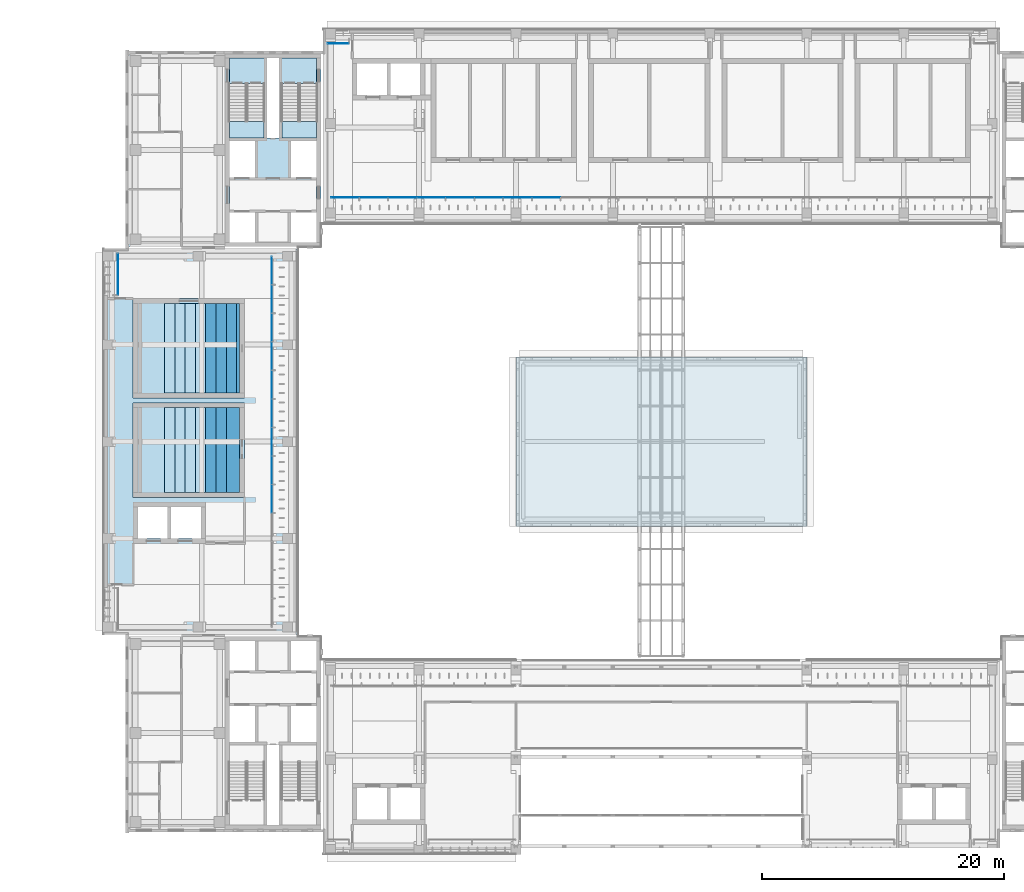
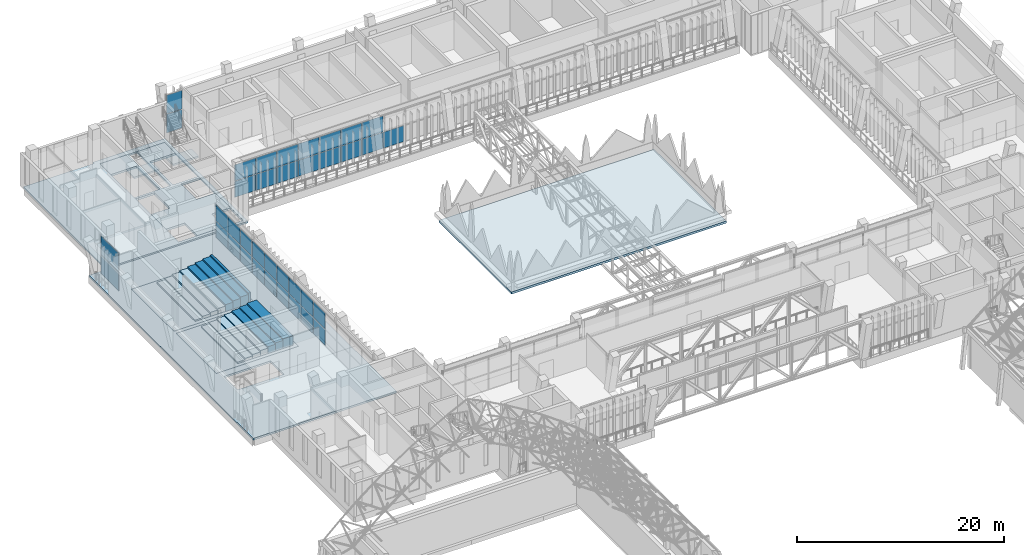
# One storey, part 92 of 141: 37 plates, 23 slabs, 6 elements without a shape of their own.
"""IFC4 building model written with IfcOpenShell, lengths in metres."""

from ifc_helpers import new_model, si_unit, direction, frame, origin, origin_2d, place, context, subcontext, project, spatial, polyline, rectangle, outline, extrude, material, layer, layer_set, type_object, element, aggregate, save


model = new_model("IFC4")

# Units and contexts
model_context = context("Model", 3, precision=1e-05, world=origin(), true_north=direction((0.0, 1.0)))
body_context = subcontext(model_context, "Body", "Model", "MODEL_VIEW")
ifc_project = project(units=[si_unit("LENGTHUNIT", "METRE"), si_unit("AREAUNIT", "SQUARE_METRE"), si_unit("VOLUMEUNIT", "CUBIC_METRE"), si_unit("PLANEANGLEUNIT", "RADIAN"), si_unit("MASSUNIT", "GRAM", prefix="KILO")], contexts=[model_context])

# Site, building, storey
site_placement = place(None, origin())
site = spatial("IfcSite", under=ifc_project, at=site_placement, CompositionType="ELEMENT")
building_placement = place(site_placement, origin())
building = spatial("IfcBuilding", under=site, at=building_placement, Name="Lantern Court Media Centre", CompositionType="ELEMENT")
storey_placement = place(building_placement, frame((0.0, 0.0, 9.60009765625)))
storey = spatial("IfcBuildingStorey", under=building, at=storey_placement, Name="L02", CompositionType="ELEMENT", Elevation=9.60009765625)

# Slab
ifc_material_1 = material(Name="Concrete C40", Category="concrete")
ifc_layer_1 = layer(ifc_material_1, 0.25)
ifc_layer_set_1 = layer_set([ifc_layer_1], Name="Concrete C40")
slab_type_1 = type_object("IfcSlabType", Name="Core floor slab 250", PredefinedType="FLOOR", material=ifc_layer_set_1)
slab_1_placement = place(storey_placement, frame((0.0, 0.0, -0.25)))
element("IfcSlab", 1, at=slab_1_placement, inside=storey, type_object=slab_type_1, Name="L02 NW core floor", PredefinedType="FLOOR", context=body_context, shape_type="SweptSolid", body=[
    extrude(outline(polyline([(16.35009765625, 104.800048828125), (16.35009765625, 105.05029296875), (19.19970703125, 105.05029296875), (19.19970703125, 109.549560546875), (16.35009765625, 109.549560546875), (16.35009765625, 111.64990234375), (19.449951171875, 111.64990234375), (19.449951171875, 105.050048828125), (20.449951171875, 105.050048828125), (20.449951171875, 111.64990234375), (23.550048828125, 111.64990234375), (23.550048828125, 109.549560546875), (20.700439453125, 109.549560546875), (20.700439453125, 105.05029296875), (23.550048828125, 105.05029296875), (23.550048828125, 104.800048828125), (21.449951171875, 104.800048828125), (21.449951171875, 101.800048828125), (23.550048828125, 101.800048828125), (23.550048828125, 98.89990234375), (21.449951171875, 98.89990234375), (21.449951171875, 96.449951171875), (18.449951171875, 96.449951171875), (18.449951171875, 98.89990234375), (16.35009765625, 98.89990234375), (16.35009765625, 101.800048828125), (18.449951171875, 101.800048828125), (18.449951171875, 104.800048828125), (16.35009765625, 104.800048828125)])), origin(), (0.0, 0.0, 1.0), 0.25),
])

# Curtain wall, plates
ifc_material_2 = material(Name="Curtain wall bay 2400")
curtain_wall_type_1 = type_object("IfcCurtainWallType", Name="Curtain wall bay 2400", PredefinedType="NOTDEFINED", material=ifc_material_2)
curtain_wall_1_placement = place(storey_placement, origin())
curtain_wall_1 = element("IfcCurtainWall", 2, at=curtain_wall_1_placement, inside=storey, type_object=curtain_wall_type_1, Name="Curtain wall N inner L02", PredefinedType="NOTDEFINED")
ifc_material_3 = material(Name="Low-iron double glazed unit glass", Category="glass")
ifc_layer_2 = layer(ifc_material_3, 0.02392578125)
ifc_layer_set_2 = layer_set([ifc_layer_2], Name="Low-iron double glazed unit glass")
plate_type_1 = type_object("IfcPlateType", Name="Curtain wall glazing unit 24", PredefinedType="CURTAIN_PANEL", material=ifc_layer_set_2)
plate_1_placement = place(storey_placement, frame((25.8994140625, 100.14990234375, 0.050048828125), z_axis=(0.0, 0.0, 1.0), x_axis=(1.0, 0.0, 0.0)))
plate_1 = element("IfcPlate", 3, at=plate_1_placement, type_object=plate_type_1, Name="CW2 panel 1.1", PredefinedType="CURTAIN_PANEL", context=body_context, shape_type="SweptSolid", body=[
    extrude(rectangle(XDim=2.298828125, YDim=0.02392578125, at=origin_2d()), origin(), (0.0, 0.0, 1.0), 1.89990234375),
])
plate_2_placement = place(storey_placement, frame((25.8994140625, 100.14990234375, 2.0), z_axis=(0.0, 0.0, 1.0), x_axis=(1.0, 0.0, 0.0)))
plate_2 = element("IfcPlate", 4, at=plate_2_placement, type_object=plate_type_1, Name="CW2 panel 1.2", PredefinedType="CURTAIN_PANEL", context=body_context, shape_type="SweptSolid", body=[
    extrude(rectangle(XDim=2.298828125, YDim=0.02392578125, at=origin_2d()), origin(), (0.0, 0.0, 1.0), 1.89990234375),
])
plate_3_placement = place(storey_placement, frame((28.260986328125, 100.14990234375, 0.050048828125), z_axis=(0.0, 0.0, 1.0), x_axis=(1.0, 0.0, 0.0)))
plate_3 = element("IfcPlate", 5, at=plate_3_placement, type_object=plate_type_1, Name="CW2 panel 2.1", PredefinedType="CURTAIN_PANEL", context=body_context, shape_type="SweptSolid", body=[
    extrude(rectangle(XDim=2.323974609375, YDim=0.02392578125, at=origin_2d()), origin(), (0.0, 0.0, 1.0), 1.89990234375),
])
plate_4_placement = place(storey_placement, frame((28.260986328125, 100.14990234375, 2.0), z_axis=(0.0, 0.0, 1.0), x_axis=(1.0, 0.0, 0.0)))
plate_4 = element("IfcPlate", 6, at=plate_4_placement, type_object=plate_type_1, Name="CW2 panel 2.2", PredefinedType="CURTAIN_PANEL", context=body_context, shape_type="SweptSolid", body=[
    extrude(rectangle(XDim=2.323974609375, YDim=0.02392578125, at=origin_2d()), origin(), (0.0, 0.0, 1.0), 1.89990234375),
])
plate_5_placement = place(storey_placement, frame((30.634765625, 100.14990234375, 0.050048828125), z_axis=(0.0, 0.0, 1.0), x_axis=(1.0, 0.0, 0.0)))
plate_5 = element("IfcPlate", 7, at=plate_5_placement, type_object=plate_type_1, Name="CW2 panel 3.1", PredefinedType="CURTAIN_PANEL", context=body_context, shape_type="SweptSolid", body=[
    extrude(rectangle(XDim=2.323974609375, YDim=0.02392578125, at=origin_2d()), origin(), (0.0, 0.0, 1.0), 1.89990234375),
])
plate_6_placement = place(storey_placement, frame((30.634765625, 100.14990234375, 2.0), z_axis=(0.0, 0.0, 1.0), x_axis=(1.0, 0.0, 0.0)))
plate_6 = element("IfcPlate", 8, at=plate_6_placement, type_object=plate_type_1, Name="CW2 panel 3.2", PredefinedType="CURTAIN_PANEL", context=body_context, shape_type="SweptSolid", body=[
    extrude(rectangle(XDim=2.323974609375, YDim=0.02392578125, at=origin_2d()), origin(), (0.0, 0.0, 1.0), 1.89990234375),
])
plate_7_placement = place(storey_placement, frame((33.0087890625, 100.14990234375, 0.050048828125), z_axis=(0.0, 0.0, 1.0), x_axis=(1.0, 0.0, 0.0)))
plate_7 = element("IfcPlate", 9, at=plate_7_placement, type_object=plate_type_1, Name="CW2 panel 4.1", PredefinedType="CURTAIN_PANEL", context=body_context, shape_type="SweptSolid", body=[
    extrude(rectangle(XDim=2.323974609375, YDim=0.02392578125, at=origin_2d()), origin(), (0.0, 0.0, 1.0), 1.89990234375),
])
plate_8_placement = place(storey_placement, frame((33.0087890625, 100.14990234375, 2.0), z_axis=(0.0, 0.0, 1.0), x_axis=(1.0, 0.0, 0.0)))
plate_8 = element("IfcPlate", 10, at=plate_8_placement, type_object=plate_type_1, Name="CW2 panel 4.2", PredefinedType="CURTAIN_PANEL", context=body_context, shape_type="SweptSolid", body=[
    extrude(rectangle(XDim=2.323974609375, YDim=0.02392578125, at=origin_2d()), origin(), (0.0, 0.0, 1.0), 1.89990234375),
])
plate_9_placement = place(storey_placement, frame((35.382568359375, 100.14990234375, 0.050048828125), z_axis=(0.0, 0.0, 1.0), x_axis=(1.0, 0.0, 0.0)))
plate_9 = element("IfcPlate", 11, at=plate_9_placement, type_object=plate_type_1, Name="CW2 panel 5.1", PredefinedType="CURTAIN_PANEL", context=body_context, shape_type="SweptSolid", body=[
    extrude(rectangle(XDim=2.323974609375, YDim=0.02392578125, at=origin_2d()), origin(), (0.0, 0.0, 1.0), 1.89990234375),
])
plate_10_placement = place(storey_placement, frame((35.382568359375, 100.14990234375, 2.0), z_axis=(0.0, 0.0, 1.0), x_axis=(1.0, 0.0, 0.0)))
plate_10 = element("IfcPlate", 12, at=plate_10_placement, type_object=plate_type_1, Name="CW2 panel 5.2", PredefinedType="CURTAIN_PANEL", context=body_context, shape_type="SweptSolid", body=[
    extrude(rectangle(XDim=2.323974609375, YDim=0.02392578125, at=origin_2d()), origin(), (0.0, 0.0, 1.0), 1.89990234375),
])
plate_11_placement = place(storey_placement, frame((37.756591796875, 100.14990234375, 0.050048828125), z_axis=(0.0, 0.0, 1.0), x_axis=(1.0, 0.0, 0.0)))
plate_11 = element("IfcPlate", 13, at=plate_11_placement, type_object=plate_type_1, Name="CW2 panel 6.1", PredefinedType="CURTAIN_PANEL", context=body_context, shape_type="SweptSolid", body=[
    extrude(rectangle(XDim=2.323974609375, YDim=0.02392578125, at=origin_2d()), origin(), (0.0, 0.0, 1.0), 1.89990234375),
])
plate_12_placement = place(storey_placement, frame((37.756591796875, 100.14990234375, 2.0), z_axis=(0.0, 0.0, 1.0), x_axis=(1.0, 0.0, 0.0)))
plate_12 = element("IfcPlate", 14, at=plate_12_placement, type_object=plate_type_1, Name="CW2 panel 6.2", PredefinedType="CURTAIN_PANEL", context=body_context, shape_type="SweptSolid", body=[
    extrude(rectangle(XDim=2.323974609375, YDim=0.02392578125, at=origin_2d()), origin(), (0.0, 0.0, 1.0), 1.89990234375),
])
plate_13_placement = place(storey_placement, frame((40.13037109375, 100.14990234375, 0.050048828125), z_axis=(0.0, 0.0, 1.0), x_axis=(1.0, 0.0, 0.0)))
plate_13 = element("IfcPlate", 15, at=plate_13_placement, type_object=plate_type_1, Name="CW2 panel 7.1", PredefinedType="CURTAIN_PANEL", context=body_context, shape_type="SweptSolid", body=[
    extrude(rectangle(XDim=2.323974609375, YDim=0.02392578125, at=origin_2d()), origin(), (0.0, 0.0, 1.0), 1.89990234375),
])
plate_14_placement = place(storey_placement, frame((40.13037109375, 100.14990234375, 2.0), z_axis=(0.0, 0.0, 1.0), x_axis=(1.0, 0.0, 0.0)))
plate_14 = element("IfcPlate", 16, at=plate_14_placement, type_object=plate_type_1, Name="CW2 panel 7.2", PredefinedType="CURTAIN_PANEL", context=body_context, shape_type="SweptSolid", body=[
    extrude(rectangle(XDim=2.323974609375, YDim=0.02392578125, at=origin_2d()), origin(), (0.0, 0.0, 1.0), 1.89990234375),
])
plate_15_placement = place(storey_placement, frame((42.50439453125, 100.14990234375, 0.050048828125), z_axis=(0.0, 0.0, 1.0), x_axis=(1.0, 0.0, 0.0)))
plate_15 = element("IfcPlate", 17, at=plate_15_placement, type_object=plate_type_1, Name="CW2 panel 8.1", PredefinedType="CURTAIN_PANEL", context=body_context, shape_type="SweptSolid", body=[
    extrude(rectangle(XDim=2.323974609375, YDim=0.02392578125, at=origin_2d()), origin(), (0.0, 0.0, 1.0), 1.89990234375),
])
aggregate(curtain_wall_1, [plate_1, plate_2, plate_3, plate_4, plate_5, plate_6, plate_7, plate_8, plate_9, plate_10, plate_11, plate_12, plate_13, plate_14, plate_15])

curtain_wall_2_placement = place(storey_placement, origin())
curtain_wall_2 = element("IfcCurtainWall", 18, at=curtain_wall_2_placement, inside=storey, type_object=curtain_wall_type_1, Name="Curtain wall W inner L02", PredefinedType="NOTDEFINED")
plate_16_placement = place(storey_placement, frame((19.85009765625, 75.292236328125, 0.050048828125), z_axis=(0.0, 0.0, 1.0), x_axis=(0.0, 1.0, 0.0)))
plate_16 = element("IfcPlate", 19, at=plate_16_placement, type_object=plate_type_1, Name="CW2 panel 5.1", PredefinedType="CURTAIN_PANEL", context=body_context, shape_type="SweptSolid", body=[
    extrude(rectangle(XDim=2.303955078125, YDim=0.02392578125, at=origin_2d()), origin(), (0.0, 0.0, 1.0), 1.89990234375),
])
plate_17_placement = place(storey_placement, frame((19.85009765625, 75.292236328125, 2.0), z_axis=(0.0, 0.0, 1.0), x_axis=(0.0, 1.0, 0.0)))
plate_17 = element("IfcPlate", 20, at=plate_17_placement, type_object=plate_type_1, Name="CW2 panel 5.2", PredefinedType="CURTAIN_PANEL", context=body_context, shape_type="SweptSolid", body=[
    extrude(rectangle(XDim=2.303955078125, YDim=0.02392578125, at=origin_2d()), origin(), (0.0, 0.0, 1.0), 1.89990234375),
])
plate_18_placement = place(storey_placement, frame((19.85009765625, 77.646240234375, 0.050048828125), z_axis=(0.0, 0.0, 1.0), x_axis=(0.0, 1.0, 0.0)))
plate_18 = element("IfcPlate", 21, at=plate_18_placement, type_object=plate_type_1, Name="CW2 panel 6.1", PredefinedType="CURTAIN_PANEL", context=body_context, shape_type="SweptSolid", body=[
    extrude(rectangle(XDim=2.303955078125, YDim=0.02392578125, at=origin_2d()), origin(), (0.0, 0.0, 1.0), 1.89990234375),
])
plate_19_placement = place(storey_placement, frame((19.85009765625, 77.646240234375, 2.0), z_axis=(0.0, 0.0, 1.0), x_axis=(0.0, 1.0, 0.0)))
plate_19 = element("IfcPlate", 22, at=plate_19_placement, type_object=plate_type_1, Name="CW2 panel 6.2", PredefinedType="CURTAIN_PANEL", context=body_context, shape_type="SweptSolid", body=[
    extrude(rectangle(XDim=2.303955078125, YDim=0.02392578125, at=origin_2d()), origin(), (0.0, 0.0, 1.0), 1.89990234375),
])
plate_20_placement = place(storey_placement, frame((19.85009765625, 80.0, 0.050048828125), z_axis=(0.0, 0.0, 1.0), x_axis=(0.0, 1.0, 0.0)))
plate_20 = element("IfcPlate", 23, at=plate_20_placement, type_object=plate_type_1, Name="CW2 panel 7.1", PredefinedType="CURTAIN_PANEL", context=body_context, shape_type="SweptSolid", body=[
    extrude(rectangle(XDim=2.303955078125, YDim=0.02392578125, at=origin_2d()), origin(), (0.0, 0.0, 1.0), 1.89990234375),
])
plate_21_placement = place(storey_placement, frame((19.85009765625, 80.0, 2.0), z_axis=(0.0, 0.0, 1.0), x_axis=(0.0, 1.0, 0.0)))
plate_21 = element("IfcPlate", 24, at=plate_21_placement, type_object=plate_type_1, Name="CW2 panel 7.2", PredefinedType="CURTAIN_PANEL", context=body_context, shape_type="SweptSolid", body=[
    extrude(rectangle(XDim=2.303955078125, YDim=0.02392578125, at=origin_2d()), origin(), (0.0, 0.0, 1.0), 1.89990234375),
])
plate_22_placement = place(storey_placement, frame((19.85009765625, 82.353759765625, 0.050048828125), z_axis=(0.0, 0.0, 1.0), x_axis=(0.0, 1.0, 0.0)))
plate_22 = element("IfcPlate", 25, at=plate_22_placement, type_object=plate_type_1, Name="CW2 panel 8.1", PredefinedType="CURTAIN_PANEL", context=body_context, shape_type="SweptSolid", body=[
    extrude(rectangle(XDim=2.303955078125, YDim=0.02392578125, at=origin_2d()), origin(), (0.0, 0.0, 1.0), 1.89990234375),
])
plate_23_placement = place(storey_placement, frame((19.85009765625, 82.353759765625, 2.0), z_axis=(0.0, 0.0, 1.0), x_axis=(0.0, 1.0, 0.0)))
plate_23 = element("IfcPlate", 26, at=plate_23_placement, type_object=plate_type_1, Name="CW2 panel 8.2", PredefinedType="CURTAIN_PANEL", context=body_context, shape_type="SweptSolid", body=[
    extrude(rectangle(XDim=2.303955078125, YDim=0.02392578125, at=origin_2d()), origin(), (0.0, 0.0, 1.0), 1.89990234375),
])
plate_24_placement = place(storey_placement, frame((19.85009765625, 84.707763671875, 0.050048828125), z_axis=(0.0, 0.0, 1.0), x_axis=(0.0, 1.0, 0.0)))
plate_24 = element("IfcPlate", 27, at=plate_24_placement, type_object=plate_type_1, Name="CW2 panel 9.1", PredefinedType="CURTAIN_PANEL", context=body_context, shape_type="SweptSolid", body=[
    extrude(rectangle(XDim=2.303955078125, YDim=0.02392578125, at=origin_2d()), origin(), (0.0, 0.0, 1.0), 1.89990234375),
])
plate_25_placement = place(storey_placement, frame((19.85009765625, 84.707763671875, 2.0), z_axis=(0.0, 0.0, 1.0), x_axis=(0.0, 1.0, 0.0)))
plate_25 = element("IfcPlate", 28, at=plate_25_placement, type_object=plate_type_1, Name="CW2 panel 9.2", PredefinedType="CURTAIN_PANEL", context=body_context, shape_type="SweptSolid", body=[
    extrude(rectangle(XDim=2.303955078125, YDim=0.02392578125, at=origin_2d()), origin(), (0.0, 0.0, 1.0), 1.89990234375),
])
plate_26_placement = place(storey_placement, frame((19.85009765625, 87.0615234375, 0.050048828125), z_axis=(0.0, 0.0, 1.0), x_axis=(0.0, 1.0, 0.0)))
plate_26 = element("IfcPlate", 29, at=plate_26_placement, type_object=plate_type_1, Name="CW2 panel 10.1", PredefinedType="CURTAIN_PANEL", context=body_context, shape_type="SweptSolid", body=[
    extrude(rectangle(XDim=2.303955078125, YDim=0.02392578125, at=origin_2d()), origin(), (0.0, 0.0, 1.0), 1.89990234375),
])
plate_27_placement = place(storey_placement, frame((19.85009765625, 87.0615234375, 2.0), z_axis=(0.0, 0.0, 1.0), x_axis=(0.0, 1.0, 0.0)))
plate_27 = element("IfcPlate", 30, at=plate_27_placement, type_object=plate_type_1, Name="CW2 panel 10.2", PredefinedType="CURTAIN_PANEL", context=body_context, shape_type="SweptSolid", body=[
    extrude(rectangle(XDim=2.303955078125, YDim=0.02392578125, at=origin_2d()), origin(), (0.0, 0.0, 1.0), 1.89990234375),
])
plate_28_placement = place(storey_placement, frame((19.85009765625, 89.415283203125, 0.050048828125), z_axis=(0.0, 0.0, 1.0), x_axis=(0.0, 1.0, 0.0)))
plate_28 = element("IfcPlate", 31, at=plate_28_placement, type_object=plate_type_1, Name="CW2 panel 11.1", PredefinedType="CURTAIN_PANEL", context=body_context, shape_type="SweptSolid", body=[
    extrude(rectangle(XDim=2.303955078125, YDim=0.02392578125, at=origin_2d()), origin(), (0.0, 0.0, 1.0), 1.89990234375),
])
plate_29_placement = place(storey_placement, frame((19.85009765625, 89.415283203125, 2.0), z_axis=(0.0, 0.0, 1.0), x_axis=(0.0, 1.0, 0.0)))
plate_29 = element("IfcPlate", 32, at=plate_29_placement, type_object=plate_type_1, Name="CW2 panel 11.2", PredefinedType="CURTAIN_PANEL", context=body_context, shape_type="SweptSolid", body=[
    extrude(rectangle(XDim=2.303955078125, YDim=0.02392578125, at=origin_2d()), origin(), (0.0, 0.0, 1.0), 1.89990234375),
])
plate_30_placement = place(storey_placement, frame((19.85009765625, 91.769287109375, 0.050048828125), z_axis=(0.0, 0.0, 1.0), x_axis=(0.0, 1.0, 0.0)))
plate_30 = element("IfcPlate", 33, at=plate_30_placement, type_object=plate_type_1, Name="CW2 panel 12.1", PredefinedType="CURTAIN_PANEL", context=body_context, shape_type="SweptSolid", body=[
    extrude(rectangle(XDim=2.303955078125, YDim=0.02392578125, at=origin_2d()), origin(), (0.0, 0.0, 1.0), 1.89990234375),
])
plate_31_placement = place(storey_placement, frame((19.85009765625, 91.769287109375, 2.0), z_axis=(0.0, 0.0, 1.0), x_axis=(0.0, 1.0, 0.0)))
plate_31 = element("IfcPlate", 34, at=plate_31_placement, type_object=plate_type_1, Name="CW2 panel 12.2", PredefinedType="CURTAIN_PANEL", context=body_context, shape_type="SweptSolid", body=[
    extrude(rectangle(XDim=2.303955078125, YDim=0.02392578125, at=origin_2d()), origin(), (0.0, 0.0, 1.0), 1.89990234375),
])
plate_32_placement = place(storey_placement, frame((19.85009765625, 94.110595703125, 0.050048828125), z_axis=(0.0, 0.0, 1.0), x_axis=(0.0, 1.0, 0.0)))
plate_32 = element("IfcPlate", 35, at=plate_32_placement, type_object=plate_type_1, Name="CW2 panel 13.1", PredefinedType="CURTAIN_PANEL", context=body_context, shape_type="SweptSolid", body=[
    extrude(rectangle(XDim=2.27880859375, YDim=0.02392578125, at=origin_2d()), origin(), (0.0, 0.0, 1.0), 1.89990234375),
])
plate_33_placement = place(storey_placement, frame((19.85009765625, 94.110595703125, 2.0), z_axis=(0.0, 0.0, 1.0), x_axis=(0.0, 1.0, 0.0)))
plate_33 = element("IfcPlate", 36, at=plate_33_placement, type_object=plate_type_1, Name="CW2 panel 13.2", PredefinedType="CURTAIN_PANEL", context=body_context, shape_type="SweptSolid", body=[
    extrude(rectangle(XDim=2.27880859375, YDim=0.02392578125, at=origin_2d()), origin(), (0.0, 0.0, 1.0), 1.89990234375),
])
aggregate(curtain_wall_2, [plate_16, plate_17, plate_18, plate_19, plate_20, plate_21, plate_22, plate_23, plate_24, plate_25, plate_26, plate_27, plate_28, plate_29, plate_30, plate_31, plate_32, plate_33])

ifc_material_4 = material(Name="Curtain wall bay 3000")
curtain_wall_type_2 = type_object("IfcCurtainWallType", Name="Curtain wall bay 3000", PredefinedType="NOTDEFINED", material=ifc_material_4)
curtain_wall_3_placement = place(storey_placement, origin())
curtain_wall_3 = element("IfcCurtainWall", 37, at=curtain_wall_3_placement, inside=storey, type_object=curtain_wall_type_2, Name="Curtain wall N outer L02", PredefinedType="NOTDEFINED")
ifc_layer_3 = layer(ifc_material_3, 0.028076171875)
ifc_layer_set_3 = layer_set([ifc_layer_3], Name="Low-iron double glazed unit glass")
plate_type_2 = type_object("IfcPlateType", Name="Curtain wall glazing unit 28", PredefinedType="CURTAIN_PANEL", material=ifc_layer_set_3)
plate_34_placement = place(storey_placement, frame((25.3349609375, 112.85009765625, 0.06005859375), z_axis=(0.0, 0.0, 1.0), x_axis=(1.0, 0.0, 0.0)))
plate_34 = element("IfcPlate", 38, at=plate_34_placement, type_object=plate_type_2, Name="CW1 panel 1.1", PredefinedType="CURTAIN_PANEL", context=body_context, shape_type="SweptSolid", body=[
    extrude(rectangle(XDim=1.7099609375, YDim=0.028076171875, at=origin_2d()), origin(), (0.0, 0.0, 1.0), 2.199951171875),
])
plate_35_placement = place(storey_placement, frame((25.3349609375, 112.85009765625, 2.31982421875), z_axis=(0.0, 0.0, 1.0), x_axis=(1.0, 0.0, 0.0)))
plate_35 = element("IfcPlate", 39, at=plate_35_placement, type_object=plate_type_2, Name="CW1 panel 1.2", PredefinedType="CURTAIN_PANEL", context=body_context, shape_type="SweptSolid", body=[
    extrude(rectangle(XDim=1.7099609375, YDim=0.028076171875, at=origin_2d()), origin(), (0.0, 0.0, 1.0), 2.199951171875),
])
aggregate(curtain_wall_3, [plate_34, plate_35])

curtain_wall_4_placement = place(storey_placement, origin())
curtain_wall_4 = element("IfcCurtainWall", 40, at=curtain_wall_4_placement, inside=storey, type_object=curtain_wall_type_2, Name="Curtain wall W outer L02", PredefinedType="NOTDEFINED")
plate_36_placement = place(storey_placement, frame((7.14990234375, 93.81494140625, 0.06005859375), z_axis=(0.0, 0.0, 1.0), x_axis=(0.0, 1.0, 0.0)))
plate_36 = element("IfcPlate", 41, at=plate_36_placement, type_object=plate_type_2, Name="CW1 panel 1.1", PredefinedType="CURTAIN_PANEL", context=body_context, shape_type="SweptSolid", body=[
    extrude(rectangle(XDim=3.409912109375, YDim=0.028076171875, at=origin_2d()), origin(), (0.0, 0.0, 1.0), 2.199951171875),
])
plate_37_placement = place(storey_placement, frame((7.14990234375, 93.81494140625, 2.31982421875), z_axis=(0.0, 0.0, 1.0), x_axis=(0.0, 1.0, 0.0)))
plate_37 = element("IfcPlate", 42, at=plate_37_placement, type_object=plate_type_2, Name="CW1 panel 1.2", PredefinedType="CURTAIN_PANEL", context=body_context, shape_type="SweptSolid", body=[
    extrude(rectangle(XDim=3.409912109375, YDim=0.028076171875, at=origin_2d()), origin(), (0.0, 0.0, 1.0), 2.199951171875),
])
aggregate(curtain_wall_4, [plate_36, plate_37])

# Slabs
ifc_material_5 = material(Name="Concrete C35", Category="concrete")
ifc_layer_4 = layer(ifc_material_5, 0.199951171875)
ifc_layer_set_4 = layer_set([ifc_layer_4], Name="Concrete C35")
slab_type_2 = type_object("IfcSlabType", Name="RC FLOOR SLAB 200", PredefinedType="FLOOR", material=ifc_layer_set_4)
slab_2_placement = place(storey_placement, frame((0.0, 0.0, -0.2001953125)))
element("IfcSlab", 43, at=slab_2_placement, inside=storey, type_object=slab_type_2, Name="SL-NW-L02", PredefinedType="FLOOR", context=body_context, shape_type="SweptSolid", body=[
    extrude(outline(polyline([(8.0, 112.0), (15.89990234375, 112.0), (15.89990234375, 112.219970703125), (23.89990234375, 112.219970703125), (23.89990234375, 112.0), (23.89990234375, 96.10009765625), (8.0, 96.10009765625), (8.0, 112.0)]), holes=[polyline([(16.35009765625, 111.64990234375), (16.35009765625, 96.449951171875), (23.550048828125, 96.449951171875), (23.550048828125, 111.64990234375), (16.35009765625, 111.64990234375)])]), origin(), (0.0, 0.0, 1.0), 0.2001953125),
])
ifc_layer_5 = layer(ifc_material_5, 0.219970703125)
ifc_layer_set_5 = layer_set([ifc_layer_5], Name="Concrete C35")
slab_type_3 = type_object("IfcSlabType", Name="RC FLOOR SLAB 220", PredefinedType="FLOOR", material=ifc_layer_set_5)
slab_3_placement = place(storey_placement, frame((0.0, 0.0, -0.22021484375)))
element("IfcSlab", 44, at=slab_3_placement, inside=storey, type_object=slab_type_3, Name="SL-W-L02", PredefinedType="FLOOR", context=body_context, shape_type="SweptSolid", body=[
    extrude(outline(polyline([(8.39990234375, 64.10009765625), (6.0, 64.10009765625), (6.0, 95.89990234375), (8.39990234375, 95.89990234375), (17.60009765625, 95.89990234375), (22.0, 95.89990234375), (22.0, 64.10009765625), (17.60009765625, 64.10009765625), (8.39990234375, 64.10009765625)]), holes=[polyline([(8.39990234375, 83.60009765625), (17.60009765625, 83.60009765625), (17.60009765625, 91.800048828125), (8.39990234375, 91.800048828125), (8.39990234375, 83.60009765625)]), polyline([(8.39990234375, 75.39990234375), (17.60009765625, 75.39990234375), (17.60009765625, 83.199951171875), (8.39990234375, 83.199951171875), (8.39990234375, 75.39990234375)]), polyline([(14.0, 74.60009765625), (8.800048828125, 74.60009765625), (8.800048828125, 72.0), (14.0, 72.0), (14.0, 74.60009765625)])]), origin(), (0.0, 0.0, 1.0), 0.22021484375),
])
ifc_layer_6 = layer(ifc_material_5, 0.419921875)
ifc_layer_set_6 = layer_set([ifc_layer_6], Name="Concrete C35")
slab_type_4 = type_object("IfcSlabType", Name="RC FLOOR SLAB 420", PredefinedType="FLOOR", material=ifc_layer_set_6)
slab_4_placement = place(storey_placement, frame((0.0, 0.0, -0.420166015625)))
element("IfcSlab", 45, at=slab_4_placement, inside=storey, type_object=slab_type_4, Name="SL-W-L02-D1", PredefinedType="FLOOR", context=body_context, shape_type="SweptSolid", body=[
    extrude(outline(polyline([(17.60009765625, 75.39990234375), (17.60009765625, 83.199951171875), (8.39990234375, 83.199951171875), (8.39990234375, 75.39990234375), (17.60009765625, 75.39990234375)])), origin(), (0.0, 0.0, 1.0), 0.420166015625),
])
slab_5_placement = place(storey_placement, frame((0.0, 0.0, -0.420166015625)))
element("IfcSlab", 46, at=slab_5_placement, inside=storey, type_object=slab_type_4, Name="SL-W-L02-D2", PredefinedType="FLOOR", context=body_context, shape_type="SweptSolid", body=[
    extrude(outline(polyline([(17.60009765625, 83.60009765625), (17.60009765625, 91.800048828125), (8.39990234375, 91.800048828125), (8.39990234375, 83.60009765625), (17.60009765625, 83.60009765625)])), origin(), (0.0, 0.0, 1.0), 0.420166015625),
])
ifc_layer_7 = layer(ifc_material_5, 0.25)
ifc_layer_set_7 = layer_set([ifc_layer_7], Name="Concrete C35")
slab_type_5 = type_object("IfcSlabType", Name="RC ROOF SLAB 250", PredefinedType="ROOF", material=ifc_layer_set_7)
slab_6_placement = place(storey_placement, frame((0.0, 0.0, -0.25)))
element("IfcSlab", 47, at=slab_6_placement, inside=storey, type_object=slab_type_5, Name="SL-PRESS-ROOF", PredefinedType="ROOF", context=body_context, shape_type="SweptSolid", body=[
    extrude(outline(polyline([(64.0, 73.0), (64.0, 87.0), (40.0, 87.0), (40.0, 73.0), (64.0, 73.0)])), origin(), (0.0, 0.0, 1.0), 0.25),
])
ifc_layer_8 = layer(ifc_material_5, 0.14990234375)
ifc_layer_set_8 = layer_set([ifc_layer_8], Name="Concrete C35")
slab_type_6 = type_object("IfcSlabType", Name="Seating tier", PredefinedType="USERDEFINED", material=ifc_layer_set_8)
slab_7_placement = place(storey_placement, origin())
element("IfcSlab", 48, at=slab_7_placement, inside=storey, type_object=slab_type_6, Name="Screen 5 tier 1", ObjectType="SEATING TIER", PredefinedType="USERDEFINED", context=body_context, shape_type="SweptSolid", body=[
    extrude(outline(polyline([(11.0, 75.800048828125), (11.85009765625, 75.800048828125), (11.85009765625, 82.800048828125), (11.0, 82.800048828125), (11.0, 75.800048828125)])), origin(), (0.0, 0.0, 1.0), 0.159912109375),
])
slab_8_placement = place(storey_placement, origin())
element("IfcSlab", 49, at=slab_8_placement, inside=storey, type_object=slab_type_6, Name="Screen 5 tier 2", ObjectType="SEATING TIER", PredefinedType="USERDEFINED", context=body_context, shape_type="SweptSolid", body=[
    extrude(outline(polyline([(11.85009765625, 75.800048828125), (12.699951171875, 75.800048828125), (12.699951171875, 82.800048828125), (11.85009765625, 82.800048828125), (11.85009765625, 75.800048828125)])), origin(), (0.0, 0.0, 1.0), 0.31982421875),
])
slab_9_placement = place(storey_placement, origin())
element("IfcSlab", 50, at=slab_9_placement, inside=storey, type_object=slab_type_6, Name="Screen 5 tier 3", ObjectType="SEATING TIER", PredefinedType="USERDEFINED", context=body_context, shape_type="SweptSolid", body=[
    extrude(outline(polyline([(12.699951171875, 75.800048828125), (13.550048828125, 75.800048828125), (13.550048828125, 82.800048828125), (12.699951171875, 82.800048828125), (12.699951171875, 75.800048828125)])), origin(), (0.0, 0.0, 1.0), 0.47998046875),
])
slab_10_placement = place(storey_placement, origin())
element("IfcSlab", 51, at=slab_10_placement, inside=storey, type_object=slab_type_6, Name="Screen 5 tier 4", ObjectType="SEATING TIER", PredefinedType="USERDEFINED", context=body_context, shape_type="SweptSolid", body=[
    extrude(outline(polyline([(13.550048828125, 75.800048828125), (14.39990234375, 75.800048828125), (14.39990234375, 82.800048828125), (13.550048828125, 82.800048828125), (13.550048828125, 75.800048828125)])), origin(), (0.0, 0.0, 1.0), 0.639892578125),
])
slab_11_placement = place(storey_placement, origin())
element("IfcSlab", 52, at=slab_11_placement, inside=storey, type_object=slab_type_6, Name="Screen 5 tier 5", ObjectType="SEATING TIER", PredefinedType="USERDEFINED", context=body_context, shape_type="SweptSolid", body=[
    extrude(outline(polyline([(14.39990234375, 75.800048828125), (15.25, 75.800048828125), (15.25, 82.800048828125), (14.39990234375, 82.800048828125), (14.39990234375, 75.800048828125)])), origin(), (0.0, 0.0, 1.0), 0.7998046875),
])
slab_12_placement = place(storey_placement, origin())
element("IfcSlab", 53, at=slab_12_placement, inside=storey, type_object=slab_type_6, Name="Screen 5 tier 6", ObjectType="SEATING TIER", PredefinedType="USERDEFINED", context=body_context, shape_type="SweptSolid", body=[
    extrude(outline(polyline([(15.25, 75.800048828125), (16.10009765625, 75.800048828125), (16.10009765625, 82.800048828125), (15.25, 82.800048828125), (15.25, 75.800048828125)])), origin(), (0.0, 0.0, 1.0), 0.9599609375),
])
slab_13_placement = place(storey_placement, origin())
element("IfcSlab", 54, at=slab_13_placement, inside=storey, type_object=slab_type_6, Name="Screen 5 tier 7", ObjectType="SEATING TIER", PredefinedType="USERDEFINED", context=body_context, shape_type="SweptSolid", body=[
    extrude(outline(polyline([(16.10009765625, 75.800048828125), (17.199951171875, 75.800048828125), (17.199951171875, 82.800048828125), (16.10009765625, 82.800048828125), (16.10009765625, 75.800048828125)])), origin(), (0.0, 0.0, 1.0), 1.119873046875),
])
slab_14_placement = place(storey_placement, origin())
element("IfcSlab", 55, at=slab_14_placement, inside=storey, type_object=slab_type_6, Name="Screen 6 tier 1", ObjectType="SEATING TIER", PredefinedType="USERDEFINED", context=body_context, shape_type="SweptSolid", body=[
    extrude(outline(polyline([(11.0, 84.0), (11.85009765625, 84.0), (11.85009765625, 91.39990234375), (11.0, 91.39990234375), (11.0, 84.0)])), origin(), (0.0, 0.0, 1.0), 0.159912109375),
])
slab_15_placement = place(storey_placement, origin())
element("IfcSlab", 56, at=slab_15_placement, inside=storey, type_object=slab_type_6, Name="Screen 6 tier 2", ObjectType="SEATING TIER", PredefinedType="USERDEFINED", context=body_context, shape_type="SweptSolid", body=[
    extrude(outline(polyline([(11.85009765625, 84.0), (12.699951171875, 84.0), (12.699951171875, 91.39990234375), (11.85009765625, 91.39990234375), (11.85009765625, 84.0)])), origin(), (0.0, 0.0, 1.0), 0.31982421875),
])
slab_16_placement = place(storey_placement, origin())
element("IfcSlab", 57, at=slab_16_placement, inside=storey, type_object=slab_type_6, Name="Screen 6 tier 3", ObjectType="SEATING TIER", PredefinedType="USERDEFINED", context=body_context, shape_type="SweptSolid", body=[
    extrude(outline(polyline([(12.699951171875, 84.0), (13.550048828125, 84.0), (13.550048828125, 91.39990234375), (12.699951171875, 91.39990234375), (12.699951171875, 84.0)])), origin(), (0.0, 0.0, 1.0), 0.47998046875),
])
slab_17_placement = place(storey_placement, origin())
element("IfcSlab", 58, at=slab_17_placement, inside=storey, type_object=slab_type_6, Name="Screen 6 tier 4", ObjectType="SEATING TIER", PredefinedType="USERDEFINED", context=body_context, shape_type="SweptSolid", body=[
    extrude(outline(polyline([(13.550048828125, 84.0), (14.39990234375, 84.0), (14.39990234375, 91.39990234375), (13.550048828125, 91.39990234375), (13.550048828125, 84.0)])), origin(), (0.0, 0.0, 1.0), 0.639892578125),
])
slab_18_placement = place(storey_placement, origin())
element("IfcSlab", 59, at=slab_18_placement, inside=storey, type_object=slab_type_6, Name="Screen 6 tier 5", ObjectType="SEATING TIER", PredefinedType="USERDEFINED", context=body_context, shape_type="SweptSolid", body=[
    extrude(outline(polyline([(14.39990234375, 84.0), (15.25, 84.0), (15.25, 91.39990234375), (14.39990234375, 91.39990234375), (14.39990234375, 84.0)])), origin(), (0.0, 0.0, 1.0), 0.7998046875),
])
slab_19_placement = place(storey_placement, origin())
element("IfcSlab", 60, at=slab_19_placement, inside=storey, type_object=slab_type_6, Name="Screen 6 tier 6", ObjectType="SEATING TIER", PredefinedType="USERDEFINED", context=body_context, shape_type="SweptSolid", body=[
    extrude(outline(polyline([(15.25, 84.0), (16.10009765625, 84.0), (16.10009765625, 91.39990234375), (15.25, 91.39990234375), (15.25, 84.0)])), origin(), (0.0, 0.0, 1.0), 0.9599609375),
])
slab_20_placement = place(storey_placement, origin())
element("IfcSlab", 61, at=slab_20_placement, inside=storey, type_object=slab_type_6, Name="Screen 6 tier 7", ObjectType="SEATING TIER", PredefinedType="USERDEFINED", context=body_context, shape_type="SweptSolid", body=[
    extrude(outline(polyline([(16.10009765625, 84.0), (16.949951171875, 84.0), (16.949951171875, 91.39990234375), (16.10009765625, 91.39990234375), (16.10009765625, 84.0)])), origin(), (0.0, 0.0, 1.0), 1.119873046875),
])
slab_21_placement = place(storey_placement, origin())
element("IfcSlab", 62, at=slab_21_placement, inside=storey, type_object=slab_type_6, Name="Screen 6 tier 8", ObjectType="SEATING TIER", PredefinedType="USERDEFINED", context=body_context, shape_type="SweptSolid", body=[
    extrude(outline(polyline([(16.949951171875, 84.0), (17.199951171875, 84.0), (17.199951171875, 91.39990234375), (16.949951171875, 91.39990234375), (16.949951171875, 84.0)])), origin(), (0.0, 0.0, 1.0), 1.27978515625),
])

# Stair, slab
stair_type = type_object("IfcStairType", Name="Exit stair 1350", PredefinedType="HALF_TURN_STAIR", material=ifc_material_1)
stair_1_placement = place(storey_placement, origin())
stair_1 = element("IfcStair", 63, at=stair_1_placement, inside=storey, type_object=stair_type, Name="L02 NW exit stair A", PredefinedType="HALF_TURN_STAIR")
ifc_layer_9 = layer(ifc_material_1, 0.199951171875)
ifc_layer_set_9 = layer_set([ifc_layer_9], Name="Concrete C40")
slab_type_7 = type_object("IfcSlabType", Name="Stair landing RC 200", PredefinedType="LANDING", material=ifc_layer_set_9)
slab_22_placement = place(storey_placement, frame((0.0, 0.0, 2.199951171875)))
slab_22 = element("IfcSlab", 64, at=slab_22_placement, type_object=slab_type_7, Name="ST-NWA landing 1", PredefinedType="LANDING", context=body_context, shape_type="SweptSolid", body=[
    extrude(outline(polyline([(16.35009765625, 106.429931640625), (16.35009765625, 105.050048828125), (19.199951171875, 105.050048828125), (19.199951171875, 106.429931640625), (16.35009765625, 106.429931640625)])), origin(), (0.0, 0.0, 1.0), 0.199951171875),
])
aggregate(stair_1, [slab_22])

stair_2_placement = place(storey_placement, origin())
stair_2 = element("IfcStair", 65, at=stair_2_placement, inside=storey, type_object=stair_type, Name="L02 NW exit stair B", PredefinedType="HALF_TURN_STAIR")
slab_23_placement = place(storey_placement, frame((0.0, 0.0, 2.199951171875)))
slab_23 = element("IfcSlab", 66, at=slab_23_placement, type_object=slab_type_7, Name="ST-NWB landing 1", PredefinedType="LANDING", context=body_context, shape_type="SweptSolid", body=[
    extrude(outline(polyline([(20.699951171875, 106.429931640625), (20.699951171875, 105.050048828125), (23.550048828125, 105.050048828125), (23.550048828125, 106.429931640625), (20.699951171875, 106.429931640625)])), origin(), (0.0, 0.0, 1.0), 0.199951171875),
])
aggregate(stair_2, [slab_23])

save(model, "model.ifc")
